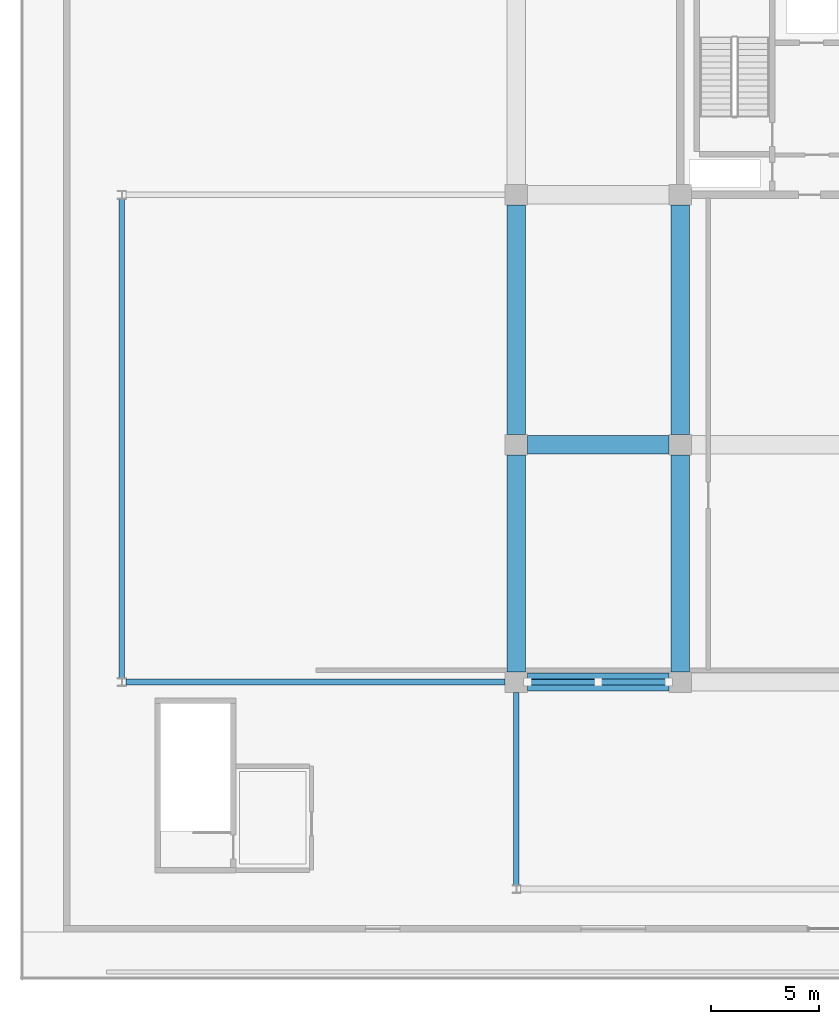
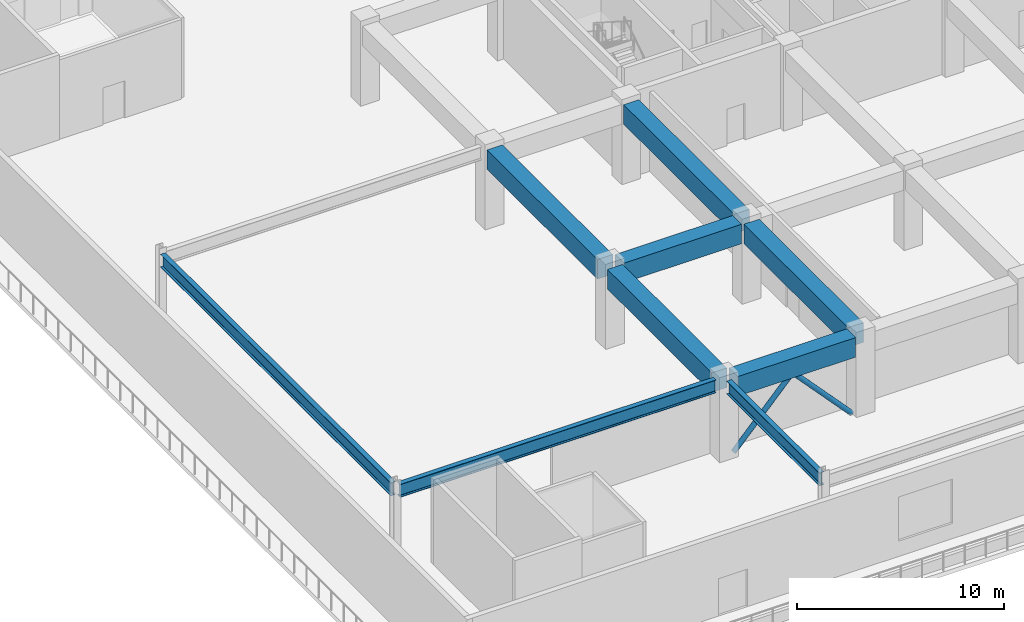
# One storey, part 7 of 38: 9 beams, 2 members.
"""IFC4 building model written with IfcOpenShell, lengths in metres."""

import ifcopenshell
import ifcopenshell.guid

model = None  # the IFC model being written
_history = None  # IfcOwnerHistory: only IFC2X3 demands one
_inside = {}  # id of a spatial element -> (the spatial element, [elements in it])
_under = {}  # id of a project, library or spatial element -> (it, [spatial elements below it])
_declared = {}  # id of a project -> (the project, [libraries it declares])
_typed = {}  # id of a type object -> (the type object, [elements of that type])
_made_of = {}  # id of a material, layer set ... -> (it, [elements and type objects made of it])


def new_model(schema):
    """Start an empty IFC model of exactly this schema.

    Asked for "IFC4X3", IfcOpenShell would pick the latest addendum, in which some entities
    have other attributes; the version numbers below select the first issue.
    IFC2X3 requires an IfcOwnerHistory on every rooted entity: one is made here for all.
    """
    global model, _history
    if schema == "IFC4X3":
        model = ifcopenshell.file(schema_version=(4, 3, 0, 0))
    else:
        model = ifcopenshell.file(schema=schema)
    _inside.clear()
    _under.clear()
    _declared.clear()
    _typed.clear()
    _made_of.clear()
    _history = None
    if model.schema == "IFC2X3":
        org = make("IfcOrganization", Name="unknown")
        user = make(
            "IfcPersonAndOrganization",
            ThePerson=make("IfcPerson", FamilyName="unknown"),
            TheOrganization=org,
        )
        app = make(
            "IfcApplication",
            ApplicationDeveloper=org,
            Version="unknown",
            ApplicationFullName="unknown",
            ApplicationIdentifier="unknown",
        )
        _history = make(
            "IfcOwnerHistory",
            OwningUser=user,
            OwningApplication=app,
            ChangeAction="ADDED",
            CreationDate=0,
        )
    return model


def make(cls, **values):
    """One entity of the class cls with the attributes given. An attribute that is None is left unset."""
    return model.create_entity(
        cls, **{name: value for name, value in values.items() if value is not None}
    )


def rooted(cls, **values):
    """An entity with a GlobalId (a new one), such as an element, a storey or a relation."""
    return make(cls, GlobalId=ifcopenshell.guid.new(), OwnerHistory=_history, **values)


def si_unit(unit_type, name, prefix=None):
    """IfcSIUnit, for example si_unit("LENGTHUNIT", "METRE", prefix="MILLI")."""
    return make("IfcSIUnit", UnitType=unit_type, Prefix=prefix, Name=name)


def assignment(units):
    """IfcUnitAssignment: the units of a project."""
    return None if units is None else make("IfcUnitAssignment", Units=units)


def point(xyz):
    """IfcCartesianPoint."""
    return None if xyz is None else make("IfcCartesianPoint", Coordinates=xyz)


def direction(xyz):
    """IfcDirection."""
    return None if xyz is None else make("IfcDirection", DirectionRatios=xyz)


def frame(location, z_axis=None, x_axis=None):
    """IfcAxis2Placement3D, a coordinate frame: its origin and axes. An axis left out is left unset."""
    return make(
        "IfcAxis2Placement3D",
        Location=point(location),
        Axis=direction(z_axis),
        RefDirection=direction(x_axis),
    )


def frame_2d(location, x_axis=None):
    """IfcAxis2Placement2D, a coordinate frame in the plane: its origin and x axis."""
    return make(
        "IfcAxis2Placement2D", Location=point(location), RefDirection=direction(x_axis)
    )


def origin():
    """The frame at (0, 0, 0) with its axes left unset."""
    return frame((0.0, 0.0, 0.0))


def origin_2d():
    """The frame at (0, 0) in the plane with its x axis left unset."""
    return frame_2d((0.0, 0.0))


def place(relative_to, where):
    """IfcLocalPlacement: puts the frame where relative to a parent placement (None: the world)."""
    return make(
        "IfcLocalPlacement", PlacementRelTo=relative_to, RelativePlacement=where
    )


def context(
    kind, dimensions, precision=None, world=None, true_north=None, identifier=None
):
    """IfcGeometricRepresentationContext, for example the 3D "Model" context."""
    return make(
        "IfcGeometricRepresentationContext",
        ContextIdentifier=identifier,
        ContextType=kind,
        CoordinateSpaceDimension=dimensions,
        Precision=precision,
        WorldCoordinateSystem=world,
        TrueNorth=true_north,
    )


def subcontext(parent, identifier, kind, view, scale=None):
    """IfcGeometricRepresentationSubContext, for example "Body" below "Model"."""
    return make(
        "IfcGeometricRepresentationSubContext",
        ContextIdentifier=identifier,
        ContextType=kind,
        ParentContext=parent,
        TargetScale=scale,
        TargetView=view,
    )


def project(units=None, contexts=None):
    """IfcProject with its units and contexts."""
    return rooted(
        "IfcProject",
        Name="project",
        RepresentationContexts=contexts,
        UnitsInContext=assignment(units),
    )


def spatial(cls, under=None, at=None, **own):
    """A site, building, storey or space (cls), placed at a placement, below another one or the project."""
    s = rooted(cls, ObjectPlacement=at, **own)
    if under is not None:
        _under.setdefault(under.id(), (under, []))[1].append(s)
    return s


def profile(cls, at=None, kind="AREA", **sizes):
    """A parametric profile (cls). Its sizes go by their IFC names, for example OverallWidth=200.0."""
    return make(cls, ProfileType=kind, Position=at, **sizes)


def rectangle(**sizes):
    """IfcRectangleProfileDef."""
    return profile("IfcRectangleProfileDef", **sizes)


def hollow_circle(**sizes):
    """IfcCircleHollowProfileDef."""
    return profile("IfcCircleHollowProfileDef", **sizes)


def i_section(**sizes):
    """IfcIShapeProfileDef."""
    return profile("IfcIShapeProfileDef", **sizes)


def extrude(swept, where, along, depth):
    """IfcExtrudedAreaSolid: the profile swept, set in the frame where, extruded along a direction by depth."""
    return make(
        "IfcExtrudedAreaSolid",
        SweptArea=swept,
        Position=where,
        ExtrudedDirection=direction(along),
        Depth=depth,
    )


def shape(context_of_items, identifier, shape_type, items):
    """IfcShapeRepresentation: the items that make up one representation, for example the "Body"."""
    return make(
        "IfcShapeRepresentation",
        ContextOfItems=context_of_items,
        RepresentationIdentifier=identifier,
        RepresentationType=shape_type,
        Items=items,
    )


def material(Name=None, Category=None):
    """IfcMaterial."""
    return make("IfcMaterial", Name=Name, Category=Category)


def material_profile(
    of_material, cross_section, Name=None, Category=None, Priority=None
):
    """IfcMaterialProfile: a cross section and its material."""
    return make(
        "IfcMaterialProfile",
        Name=Name,
        Material=of_material,
        Profile=cross_section,
        Priority=Priority,
        Category=Category,
    )


def profile_set(profiles, Name=None, composite=None):
    """IfcMaterialProfileSet."""
    return make(
        "IfcMaterialProfileSet",
        Name=Name,
        MaterialProfiles=profiles,
        CompositeProfile=composite,
    )


def made_of(thing, what):
    """Note that an element or type object is made of a material, layer set ...; save() writes the relation."""
    if what is not None:
        _made_of.setdefault(what.id(), (what, []))[1].append(thing)
    return thing


def type_object(cls, material=None, **own):
    """A type object (cls), such as IfcWallType, which elements share."""
    return made_of(rooted(cls, **own), material)


def element(
    cls,
    number,
    at=None,
    inside=None,
    cuts=None,
    type_object=None,
    material=None,
    context=None,
    identifier="Body",
    shape_type=None,
    held_by="IfcProductDefinitionShape",
    body=None,
    shapes=None,
    **own,
):
    """One element of the class cls, such as IfcWall. Its Tag is "e" and its number.

    at: its placement. inside: the storey or other place that contains it. cuts: it is an
    opening in that element (IfcRelVoidsElement). A single representation is given by context,
    identifier, shape_type and body (its items); several are given by shapes. held_by: the class
    of the entity that holds the representations. save() writes the other relations.
    """
    e = rooted(cls, Tag="e%d" % number, ObjectPlacement=at, **own)
    if body is not None:
        shapes = [shape(context, identifier, shape_type, body)]
    if shapes is not None:
        e.Representation = make(held_by, Representations=shapes)
    if inside is not None:
        _inside.setdefault(inside.id(), (inside, []))[1].append(e)
    if cuts is not None:
        rooted(
            "IfcRelVoidsElement", RelatingBuildingElement=cuts, RelatedOpeningElement=e
        )
    if type_object is not None:
        _typed.setdefault(type_object.id(), (type_object, []))[1].append(e)
    return made_of(e, material)


def aggregate(whole, parts):
    """IfcRelAggregates: a whole, such as a stair, and the parts it consists of."""
    return rooted("IfcRelAggregates", RelatingObject=whole, RelatedObjects=parts)


def save(model, path):
    """Write the relations noted so far, then the file.

    IfcRelAggregates (storeys below a building ...), IfcRelContainedInSpatialStructure (elements
    in a storey), IfcRelDefinesByType, IfcRelAssociatesMaterial and IfcRelDeclares: one each for
    every whole, place, type object, material and project.
    """
    for whole, parts in _under.values():
        aggregate(whole, parts)
    for where, things in _inside.values():
        rooted(
            "IfcRelContainedInSpatialStructure",
            RelatedElements=things,
            RelatingStructure=where,
        )
    for kind, things in _typed.values():
        rooted("IfcRelDefinesByType", RelatedObjects=things, RelatingType=kind)
    for what, things in _made_of.values():
        rooted("IfcRelAssociatesMaterial", RelatedObjects=things, RelatingMaterial=what)
    for by, libraries in _declared.values():
        rooted("IfcRelDeclares", RelatingContext=by, RelatedDefinitions=libraries)
    model.write(path)


model = new_model("IFC4")

# Units and contexts
model_context = context("Model", 3, precision=1e-05, world=origin(), true_north=direction((0.0, 1.0)))
body_context = subcontext(model_context, "Body", "Model", "MODEL_VIEW")
ifc_project = project(units=[si_unit("LENGTHUNIT", "METRE"), si_unit("AREAUNIT", "SQUARE_METRE"), si_unit("VOLUMEUNIT", "CUBIC_METRE"), si_unit("PLANEANGLEUNIT", "RADIAN"), si_unit("MASSUNIT", "GRAM", prefix="KILO")], contexts=[model_context])

# Site, building, storey
site_placement = place(None, origin())
site = spatial("IfcSite", under=ifc_project, at=site_placement, CompositionType="ELEMENT")
building_placement = place(site_placement, origin())
building = spatial("IfcBuilding", under=site, at=building_placement, Name="Korimba Cascade Residences", CompositionType="ELEMENT")
storey_placement = place(building_placement, frame((0.0, 0.0, 19.0)))
storey = spatial("IfcBuildingStorey", under=building, at=storey_placement, Name="L04", CompositionType="ELEMENT", Elevation=19.0)

# Beams
ifc_material_1 = material(Name="Steel S355", Category="steel")
ifc_material_profile_1 = material_profile(ifc_material_1, i_section(OverallWidth=0.26806640625, OverallDepth=0.769775390625, WebThickness=0.015625, FlangeThickness=0.025390625, FilletRadius=0.0166015625, at=origin_2d()), Name="Steel S355")
ifc_profile_set_1 = profile_set([ifc_material_profile_1], Name="Steel S355")
beam_type_1 = type_object("IfcBeamType", Name="BM-STL-UB762", PredefinedType="BEAM", material=ifc_profile_set_1)
beam_1_placement = place(storey_placement, frame((56.3994140625, -4.199951171875, 4.295166015625), z_axis=(1.0, 0.0, 0.0), x_axis=(0.0, 1.0, 0.0)))
element("IfcBeam", 1, at=beam_1_placement, inside=storey, type_object=beam_type_1, Name="L04 Podium Frame Girder W1", PredefinedType="BEAM", context=body_context, shape_type="SweptSolid", body=[
    extrude(i_section(OverallWidth=0.26806640625, OverallDepth=0.769775390625, WebThickness=0.015625, FlangeThickness=0.025390625, FilletRadius=0.0166015625, at=origin_2d()), origin(), (0.0, 0.0, 1.0), 17.57568359375),
])
beam_2_placement = place(storey_placement, frame((56.199951171875, -4.003173828125, 4.295166015625), z_axis=(0.0, 1.0, 0.0), x_axis=(-1.0, 0.0, 0.0)))
element("IfcBeam", 2, at=beam_2_placement, inside=storey, type_object=beam_type_1, Name="L04 Podium Frame Girder WN", PredefinedType="BEAM", context=body_context, shape_type="SweptSolid", body=[
    extrude(i_section(OverallWidth=0.26806640625, OverallDepth=0.769775390625, WebThickness=0.015625, FlangeThickness=0.025390625, FilletRadius=0.0166015625, at=origin_2d()), origin(), (0.0, 0.0, 1.0), 22.206298828125),
])
beam_3_placement = place(storey_placement, frame((74.5, -13.603271484375, 4.295166015625), z_axis=(0.0, 1.0, 0.0), x_axis=(-1.0, 0.0, 0.0)))
element("IfcBeam", 3, at=beam_3_placement, inside=storey, type_object=beam_type_1, Name="L04 Podium Frame Girder S1", PredefinedType="BEAM", context=body_context, shape_type="SweptSolid", body=[
    extrude(i_section(OverallWidth=0.26806640625, OverallDepth=0.769775390625, WebThickness=0.015625, FlangeThickness=0.025390625, FilletRadius=0.0166015625, at=origin_2d()), origin(), (0.0, 0.0, 1.0), 8.92822265625),
])
ifc_material_2 = material(Name="Concrete C65/80", Category="concrete")
ifc_material_profile_2 = material_profile(ifc_material_2, rectangle(XDim=0.85009765625, YDim=1.14990234375, at=origin_2d()), Name="Concrete C65/80")
ifc_profile_set_2 = profile_set([ifc_material_profile_2], Name="Concrete C65/80")
beam_type_2 = type_object("IfcBeamType", Name="BM-TRF-1150", PredefinedType="T_BEAM", material=ifc_profile_set_2)
for number, where, z_axis, x_axis, name in (
    (4, (75.02490234375, -4.199951171875, 4.10498046875), (1.0, 0.0, 0.0), (0.0, 1.0, 0.0), "L04 T2 E-W Girder Y1 Bay 1"),
    (5, (75.02490234375, 6.800048828125, 4.10498046875), (1.0, 0.0, 0.0), (0.0, 1.0, 0.0), "L04 T2 E-W Girder Y2 Bay 1"),
):
    element("IfcBeam", number, at=place(storey_placement, frame(where, z_axis=z_axis, x_axis=x_axis)), inside=storey, type_object=beam_type_2, Name=name, PredefinedType="T_BEAM", context=body_context, shape_type="SweptSolid", body=[
        extrude(rectangle(XDim=0.85009765625, YDim=1.14990234375, at=origin_2d()), origin(), (0.0, 0.0, 1.0), 6.550048828125),
    ])
beam_4_placement = place(storey_placement, frame((74.5, -3.72509765625, 4.10498046875), z_axis=(0.0, 1.0, 0.0), x_axis=(-1.0, 0.0, 0.0)))
element("IfcBeam", 6, at=beam_4_placement, inside=storey, type_object=beam_type_2, Name="L04 T2 N-S Girder X1 Seg 1", PredefinedType="T_BEAM", context=body_context, shape_type="SweptSolid", body=[
    extrude(rectangle(XDim=0.85009765625, YDim=1.14990234375, at=origin_2d()), origin(), (0.0, 0.0, 1.0), 10.050048828125),
])
beam_5_placement = place(storey_placement, frame((74.5, 7.27490234375, 4.10498046875), z_axis=(0.0, 1.0, 0.0), x_axis=(-1.0, 0.0, 0.0)))
element("IfcBeam", 7, at=beam_5_placement, inside=storey, type_object=beam_type_2, Name="L04 T2 N-S Girder X1 Seg 2", PredefinedType="T_BEAM", context=body_context, shape_type="SweptSolid", body=[
    extrude(rectangle(XDim=0.85009765625, YDim=1.14990234375, at=origin_2d()), origin(), (0.0, 0.0, 1.0), 10.650146484375),
])
beam_6_placement = place(storey_placement, frame((82.10009765625, -3.72509765625, 4.10498046875), z_axis=(0.0, 1.0, 0.0), x_axis=(-1.0, 0.0, 0.0)))
element("IfcBeam", 8, at=beam_6_placement, inside=storey, type_object=beam_type_2, Name="L04 T2 N-S Girder X2 Seg 1", PredefinedType="T_BEAM", context=body_context, shape_type="SweptSolid", body=[
    extrude(rectangle(XDim=0.85009765625, YDim=1.14990234375, at=origin_2d()), origin(), (0.0, 0.0, 1.0), 10.050048828125),
])
beam_7_placement = place(storey_placement, frame((82.10009765625, 7.27490234375, 4.10498046875), z_axis=(0.0, 1.0, 0.0), x_axis=(-1.0, 0.0, 0.0)))
element("IfcBeam", 9, at=beam_7_placement, inside=storey, type_object=beam_type_2, Name="L04 T2 N-S Girder X2 Seg 2", PredefinedType="T_BEAM", context=body_context, shape_type="SweptSolid", body=[
    extrude(rectangle(XDim=0.85009765625, YDim=1.14990234375, at=origin_2d()), origin(), (0.0, 0.0, 1.0), 10.650146484375),
])

# Members
ifc_material_profile_3 = material_profile(ifc_material_1, hollow_circle(Radius=0.136474609375, WallThickness=0.010009765625, at=origin_2d()), Name="Steel S355")
ifc_profile_set_3 = profile_set([ifc_material_profile_3], Name="Steel S355")
member_type = type_object("IfcMemberType", Name="MEM-SET-CHS273", PredefinedType="STRUT", material=ifc_profile_set_3)
member_1_placement = place(storey_placement, frame((75.02490234375, -4.199951171875, 0.0), z_axis=(0.680145726728, 0.0, 0.733076933489), x_axis=(0.0, 1.0, 0.0)))
element("IfcMember", 10, at=member_1_placement, inside=storey, type_object=member_type, Name="L04 South Chevron Brace S1A", PredefinedType="STRUT", context=body_context, shape_type="SweptSolid", body=[
    extrude(hollow_circle(Radius=0.136474609375, WallThickness=0.010009765625, at=origin_2d()), origin(), (0.0, 0.0, 1.0), 4.8154296875),
])
member_2_placement = place(storey_placement, frame((81.574951171875, -4.199951171875, 0.0), z_axis=(-0.680118478838, 0.0, 0.733102213025), x_axis=(0.0, -1.0, 0.0)))
element("IfcMember", 11, at=member_2_placement, inside=storey, type_object=member_type, Name="L04 South Chevron Brace S1B", PredefinedType="STRUT", context=body_context, shape_type="SweptSolid", body=[
    extrude(hollow_circle(Radius=0.136474609375, WallThickness=0.010009765625, at=origin_2d()), origin(), (0.0, 0.0, 1.0), 4.815185546875),
])

save(model, "model.ifc")
